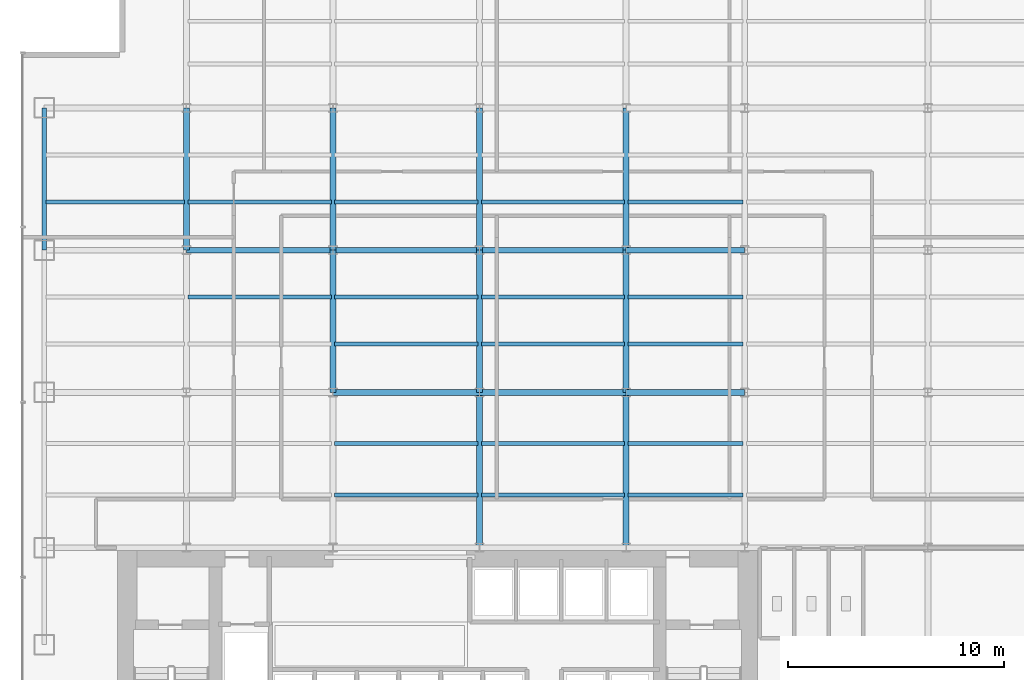
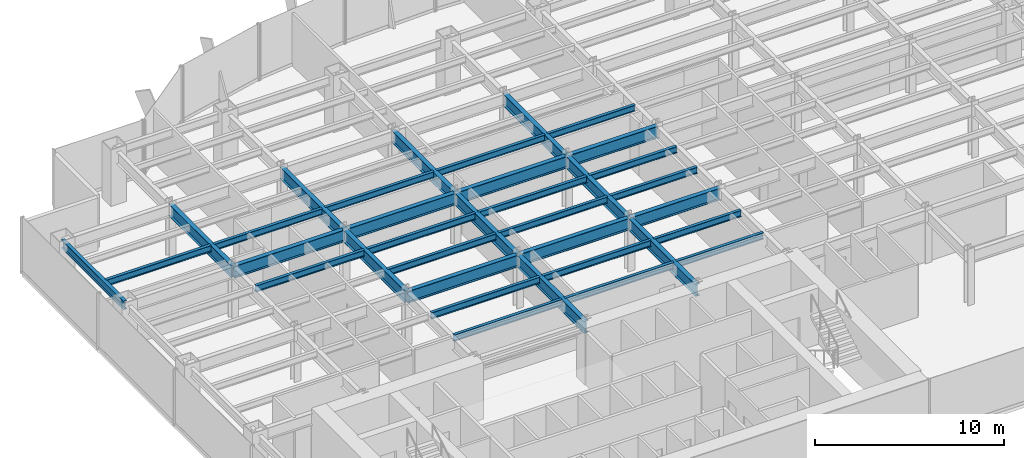
# One storey, part 5 of 22: 35 beams.
"""IFC4 building model written with IfcOpenShell, lengths in metres."""

from ifc_helpers import new_model, si_unit, derived_unit, direction, frame, origin, origin_2d, place, context, subcontext, project, spatial, i_section, extrude, source, transform, mapped, material, material_profile, profile_set, type_object, element, save


model = new_model("IFC4")

# Units and contexts
model_context = context("Model", 3, precision=1e-05, world=origin(), true_north=direction((0.0, 1.0)))
body_context = subcontext(model_context, "Body", "Model", "MODEL_VIEW")
ifc_project = project(units=[si_unit("LENGTHUNIT", "METRE"), si_unit("AREAUNIT", "SQUARE_METRE"), si_unit("VOLUMEUNIT", "CUBIC_METRE"), si_unit("PLANEANGLEUNIT", "RADIAN"), si_unit("MASSUNIT", "GRAM", prefix="KILO"), derived_unit("THERMALTRANSMITTANCEUNIT", [(si_unit("POWERUNIT", "WATT"), 1), (si_unit("LENGTHUNIT", "METRE"), -2), (si_unit("THERMODYNAMICTEMPERATUREUNIT", "KELVIN"), -1)])], contexts=[model_context])

# Site, building, storey
site_placement = place(None, origin())
site = spatial("IfcSite", under=ifc_project, at=site_placement, CompositionType="ELEMENT")
building_placement = place(site_placement, origin())
building = spatial("IfcBuilding", under=site, at=building_placement, Name="Skarnbrae Concourse Arena and Tower", CompositionType="ELEMENT")
storey_placement = place(building_placement, frame((0.0, 0.0, 72.64990234375)))
storey = spatial("IfcBuildingStorey", under=building, at=storey_placement, Name="L17", CompositionType="ELEMENT", Elevation=72.64990234375)

# Beams
ifc_material = material(Name="Steel CSA G40.21 350W", Category="steel")
ifc_material_profile_1 = material_profile(ifc_material, i_section(OverallWidth=0.26806640625, OverallDepth=0.77001953125, WebThickness=0.015625, FlangeThickness=0.025390625, at=origin_2d()), Name="W760X196")
ifc_profile_set_1 = profile_set([ifc_material_profile_1], Name="Steel CSA G40.21 350W")
beam_type_1 = type_object("IfcBeamType", Name="BM-GIRD-W760X196", PredefinedType="BEAM", material=ifc_profile_set_1)
shared_shape_1 = source(origin(), body_context, "Body", "SweptSolid", [
    extrude(i_section(OverallWidth=0.26806640625, OverallDepth=0.77001953125, WebThickness=0.015625, FlangeThickness=0.025390625, at=origin_2d()), origin(), (0.0, 0.0, 1.0), 6.60009765625),
])
for number, where, z_axis, x_axis, name in (
    (1, (14.39990234375, 21.199951171875, 3.01513671875), (0.0, 1.0, 0.0), (-1.0, 0.0, 0.0), "L17 Primary N-S girder X14.4-2"),
    (2, (21.199951171875, 21.199951171875, 3.01513671875), (0.0, 1.0, 0.0), (-1.0, 0.0, 0.0), "L17 Primary N-S girder X21.2-2"),
    (3, (28.0, 21.199951171875, 3.01513671875), (0.0, 1.0, 0.0), (-1.0, 0.0, 0.0), "L17 Primary N-S girder X28.0-2"),
):
    element("IfcBeam", number, at=place(storey_placement, frame(where, z_axis=z_axis, x_axis=x_axis)), inside=storey, type_object=beam_type_1, Name=name, PredefinedType="BEAM", context=body_context, shape_type="MappedRepresentation", body=[
        mapped(shared_shape_1, transform((0.0, 0.0, 0.0))),
    ])
shared_shape_2 = source(origin(), body_context, "Body", "SweptSolid", [
    extrude(i_section(OverallWidth=0.26806640625, OverallDepth=0.77001953125, WebThickness=0.015625, FlangeThickness=0.025390625, at=origin_2d()), origin(), (0.0, 0.0, 1.0), 6.7998046875),
])
beam_1_placement = place(storey_placement, frame((7.60009765625, 27.800048828125, 3.01513671875), z_axis=(1.0, 0.0, 0.0), x_axis=(0.0, 1.0, 0.0)))
element("IfcBeam", 4, at=beam_1_placement, inside=storey, type_object=beam_type_1, Name="L17 Primary E-W girder Y27.8-2", PredefinedType="BEAM", context=body_context, shape_type="MappedRepresentation", body=[
    mapped(shared_shape_2, transform((0.0, 0.0, 0.0))),
])
shared_shape_3 = source(origin(), body_context, "Body", "SweptSolid", [
    extrude(i_section(OverallWidth=0.26806640625, OverallDepth=0.77001953125, WebThickness=0.015625, FlangeThickness=0.025390625, at=origin_2d()), origin(), (0.0, 0.0, 1.0), 6.800048828125),
])
for number, where, z_axis, x_axis, name in (
    (5, (14.39990234375, 21.199951171875, 3.01513671875), (1.0, 0.0, 0.0), (0.0, 1.0, 0.0), "L17 Primary E-W girder Y21.2-3"),
    (6, (21.199951171875, 21.199951171875, 3.01513671875), (1.0, 0.0, 0.0), (0.0, 1.0, 0.0), "L17 Primary E-W girder Y21.2-4"),
    (7, (14.39990234375, 27.800048828125, 3.01513671875), (1.0, 0.0, 0.0), (0.0, 1.0, 0.0), "L17 Primary E-W girder Y27.8-3"),
    (8, (21.199951171875, 27.800048828125, 3.01513671875), (1.0, 0.0, 0.0), (0.0, 1.0, 0.0), "L17 Primary E-W girder Y27.8-4"),
):
    element("IfcBeam", number, at=place(storey_placement, frame(where, z_axis=z_axis, x_axis=x_axis)), inside=storey, type_object=beam_type_1, Name=name, PredefinedType="BEAM", context=body_context, shape_type="MappedRepresentation", body=[
        mapped(shared_shape_3, transform((0.0, 0.0, 0.0))),
    ])
shared_shape_4 = source(origin(), body_context, "Body", "SweptSolid", [
    extrude(i_section(OverallWidth=0.26806640625, OverallDepth=0.77001953125, WebThickness=0.015625, FlangeThickness=0.025390625, at=origin_2d()), origin(), (0.0, 0.0, 1.0), 5.5),
])
for number, where, z_axis, x_axis, name in (
    (9, (28.0, 21.199951171875, 3.01513671875), (1.0, 0.0, 0.0), (0.0, 1.0, 0.0), "L17 Primary E-W girder Y21.2-5"),
    (10, (28.0, 27.800048828125, 3.01513671875), (1.0, 0.0, 0.0), (0.0, 1.0, 0.0), "L17 Primary E-W girder Y27.8-5"),
):
    element("IfcBeam", number, at=place(storey_placement, frame(where, z_axis=z_axis, x_axis=x_axis)), inside=storey, type_object=beam_type_1, Name=name, PredefinedType="BEAM", context=body_context, shape_type="MappedRepresentation", body=[
        mapped(shared_shape_4, transform((0.0, 0.0, 0.0))),
    ])
ifc_material_profile_2 = material_profile(ifc_material, i_section(OverallWidth=0.214111328125, OverallDepth=0.549072265625, WebThickness=0.0146484375, FlangeThickness=0.023681640625, at=origin_2d()), Name="W530X138")
ifc_profile_set_2 = profile_set([ifc_material_profile_2], Name="Steel CSA G40.21 350W")
beam_type_2 = type_object("IfcBeamType", Name="BM-SPAN-W530X138", PredefinedType="SPANDREL", material=ifc_profile_set_2)
shared_shape_5 = source(origin(), body_context, "Body", "SweptSolid", [
    extrude(i_section(OverallWidth=0.214111328125, OverallDepth=0.549072265625, WebThickness=0.0146484375, FlangeThickness=0.023681640625, at=origin_2d()), origin(), (0.0, 0.0, 1.0), 6.599853515625),
])
beam_2_placement = place(storey_placement, frame((1.0, 27.800048828125, 3.12548828125), z_axis=(0.0, 1.0, 0.0), x_axis=(-1.0, 0.0, 0.0)))
element("IfcBeam", 11, at=beam_2_placement, inside=storey, type_object=beam_type_2, Name="L17 Perimeter spandrel X1.0-4", PredefinedType="SPANDREL", context=body_context, shape_type="MappedRepresentation", body=[
    mapped(shared_shape_5, transform((0.0, 0.0, 0.0))),
])
shared_shape_6 = source(origin(), body_context, "Body", "SweptSolid", [
    extrude(i_section(OverallWidth=0.26806640625, OverallDepth=0.77001953125, WebThickness=0.015625, FlangeThickness=0.025390625, at=origin_2d()), origin(), (0.0, 0.0, 1.0), 7.199951171875),
])
for number, where, z_axis, x_axis, name in (
    (12, (21.199951171875, 14.0, 3.01513671875), (0.0, 1.0, 0.0), (-1.0, 0.0, 0.0), "L17 Primary N-S girder X21.2-1"),
    (13, (28.0, 14.0, 3.01513671875), (0.0, 1.0, 0.0), (-1.0, 0.0, 0.0), "L17 Primary N-S girder X28.0-1"),
):
    element("IfcBeam", number, at=place(storey_placement, frame(where, z_axis=z_axis, x_axis=x_axis)), inside=storey, type_object=beam_type_1, Name=name, PredefinedType="BEAM", context=body_context, shape_type="MappedRepresentation", body=[
        mapped(shared_shape_6, transform((0.0, 0.0, 0.0))),
    ])
shared_shape_7 = source(origin(), body_context, "Body", "SweptSolid", [
    extrude(i_section(OverallWidth=0.26806640625, OverallDepth=0.77001953125, WebThickness=0.015625, FlangeThickness=0.025390625, at=origin_2d()), origin(), (0.0, 0.0, 1.0), 6.599853515625),
])
for number, where, z_axis, x_axis, name in (
    (14, (7.60009765625, 27.800048828125, 3.01513671875), (0.0, 1.0, 0.0), (-1.0, 0.0, 0.0), "L17 Primary N-S girder X7.6-3"),
    (15, (14.39990234375, 27.800048828125, 3.01513671875), (0.0, 1.0, 0.0), (-1.0, 0.0, 0.0), "L17 Primary N-S girder X14.4-3"),
    (16, (21.199951171875, 27.800048828125, 3.01513671875), (0.0, 1.0, 0.0), (-1.0, 0.0, 0.0), "L17 Primary N-S girder X21.2-3"),
    (17, (28.0, 27.800048828125, 3.01513671875), (0.0, 1.0, 0.0), (-1.0, 0.0, 0.0), "L17 Primary N-S girder X28.0-3"),
):
    element("IfcBeam", number, at=place(storey_placement, frame(where, z_axis=z_axis, x_axis=x_axis)), inside=storey, type_object=beam_type_1, Name=name, PredefinedType="BEAM", context=body_context, shape_type="MappedRepresentation", body=[
        mapped(shared_shape_7, transform((0.0, 0.0, 0.0))),
    ])
ifc_material_profile_3 = material_profile(ifc_material, i_section(OverallWidth=0.180908203125, OverallDepth=0.4169921875, WebThickness=0.010986328125, FlangeThickness=0.018310546875, at=origin_2d()), Name="W410X85")
ifc_profile_set_3 = profile_set([ifc_material_profile_3], Name="Steel CSA G40.21 350W")
beam_type_3 = type_object("IfcBeamType", Name="BM-JOIST-W410X85", PredefinedType="JOIST", material=ifc_profile_set_3)
shared_shape_8 = source(origin(), body_context, "Body", "SweptSolid", [
    extrude(i_section(OverallWidth=0.180908203125, OverallDepth=0.4169921875, WebThickness=0.010986328125, FlangeThickness=0.018310546875, at=origin_2d()), origin(), (0.0, 0.0, 1.0), 6.43994140625),
])
beam_3_placement = place(storey_placement, frame((1.080078125, 30.0439453125, 3.191650390625), z_axis=(1.0, 0.0, 0.0), x_axis=(0.0, 1.0, 0.0)))
element("IfcBeam", 18, at=beam_3_placement, inside=storey, type_object=beam_type_3, Name="L17 Secondary floor joist 3.1.1", PredefinedType="JOIST", context=body_context, shape_type="MappedRepresentation", body=[
    mapped(shared_shape_8, transform((0.0, 0.0, 0.0))),
])
shared_shape_9 = source(origin(), body_context, "Body", "SweptSolid", [
    extrude(i_section(OverallWidth=0.180908203125, OverallDepth=0.4169921875, WebThickness=0.010986328125, FlangeThickness=0.018310546875, at=origin_2d()), origin(), (0.0, 0.0, 1.0), 6.64013671875),
])
for number, where, z_axis, x_axis, name in (
    (19, (14.47998046875, 16.447998046875, 3.191650390625), (1.0, 0.0, 0.0), (0.0, 1.0, 0.0), "L17 Secondary floor joist 1.1.3"),
    (20, (14.47998046875, 18.823974609375, 3.191650390625), (1.0, 0.0, 0.0), (0.0, 1.0, 0.0), "L17 Secondary floor joist 1.2.3"),
    (21, (14.47998046875, 23.444091796875, 3.191650390625), (1.0, 0.0, 0.0), (0.0, 1.0, 0.0), "L17 Secondary floor joist 2.1.3"),
    (22, (7.679931640625, 25.6220703125, 3.191650390625), (1.0, 0.0, 0.0), (0.0, 1.0, 0.0), "L17 Secondary floor joist 2.2.2"),
    (23, (14.47998046875, 25.6220703125, 3.191650390625), (1.0, 0.0, 0.0), (0.0, 1.0, 0.0), "L17 Secondary floor joist 2.2.3"),
    (24, (7.679931640625, 30.0439453125, 3.191650390625), (1.0, 0.0, 0.0), (0.0, 1.0, 0.0), "L17 Secondary floor joist 3.1.2"),
    (25, (14.47998046875, 30.0439453125, 3.191650390625), (1.0, 0.0, 0.0), (0.0, 1.0, 0.0), "L17 Secondary floor joist 3.1.3"),
):
    element("IfcBeam", number, at=place(storey_placement, frame(where, z_axis=z_axis, x_axis=x_axis)), inside=storey, type_object=beam_type_3, Name=name, PredefinedType="JOIST", context=body_context, shape_type="MappedRepresentation", body=[
        mapped(shared_shape_9, transform((0.0, 0.0, 0.0))),
    ])
shared_shape_10 = source(origin(), body_context, "Body", "SweptSolid", [
    extrude(i_section(OverallWidth=0.180908203125, OverallDepth=0.4169921875, WebThickness=0.010986328125, FlangeThickness=0.018310546875, at=origin_2d()), origin(), (0.0, 0.0, 1.0), 6.639892578125),
])
for number, where, z_axis, x_axis, name in (
    (26, (21.280029296875, 16.447998046875, 3.191650390625), (1.0, 0.0, 0.0), (0.0, 1.0, 0.0), "L17 Secondary floor joist 1.1.4"),
    (27, (21.280029296875, 18.823974609375, 3.191650390625), (1.0, 0.0, 0.0), (0.0, 1.0, 0.0), "L17 Secondary floor joist 1.2.4"),
    (28, (21.280029296875, 23.444091796875, 3.191650390625), (1.0, 0.0, 0.0), (0.0, 1.0, 0.0), "L17 Secondary floor joist 2.1.4"),
    (29, (21.280029296875, 25.6220703125, 3.191650390625), (1.0, 0.0, 0.0), (0.0, 1.0, 0.0), "L17 Secondary floor joist 2.2.4"),
    (30, (21.280029296875, 30.0439453125, 3.191650390625), (1.0, 0.0, 0.0), (0.0, 1.0, 0.0), "L17 Secondary floor joist 3.1.4"),
):
    element("IfcBeam", number, at=place(storey_placement, frame(where, z_axis=z_axis, x_axis=x_axis)), inside=storey, type_object=beam_type_3, Name=name, PredefinedType="JOIST", context=body_context, shape_type="MappedRepresentation", body=[
        mapped(shared_shape_10, transform((0.0, 0.0, 0.0))),
    ])
shared_shape_11 = source(origin(), body_context, "Body", "SweptSolid", [
    extrude(i_section(OverallWidth=0.180908203125, OverallDepth=0.4169921875, WebThickness=0.010986328125, FlangeThickness=0.018310546875, at=origin_2d()), origin(), (0.0, 0.0, 1.0), 5.33984375),
])
for number, where, z_axis, x_axis, name in (
    (31, (28.080078125, 16.447998046875, 3.191650390625), (1.0, 0.0, 0.0), (0.0, 1.0, 0.0), "L17 Secondary floor joist 1.1.5"),
    (32, (28.080078125, 18.823974609375, 3.191650390625), (1.0, 0.0, 0.0), (0.0, 1.0, 0.0), "L17 Secondary floor joist 1.2.5"),
    (33, (28.080078125, 23.444091796875, 3.191650390625), (1.0, 0.0, 0.0), (0.0, 1.0, 0.0), "L17 Secondary floor joist 2.1.5"),
    (34, (28.080078125, 25.6220703125, 3.191650390625), (1.0, 0.0, 0.0), (0.0, 1.0, 0.0), "L17 Secondary floor joist 2.2.5"),
    (35, (28.080078125, 30.0439453125, 3.191650390625), (1.0, 0.0, 0.0), (0.0, 1.0, 0.0), "L17 Secondary floor joist 3.1.5"),
):
    element("IfcBeam", number, at=place(storey_placement, frame(where, z_axis=z_axis, x_axis=x_axis)), inside=storey, type_object=beam_type_3, Name=name, PredefinedType="JOIST", context=body_context, shape_type="MappedRepresentation", body=[
        mapped(shared_shape_11, transform((0.0, 0.0, 0.0))),
    ])

save(model, "model.ifc")
